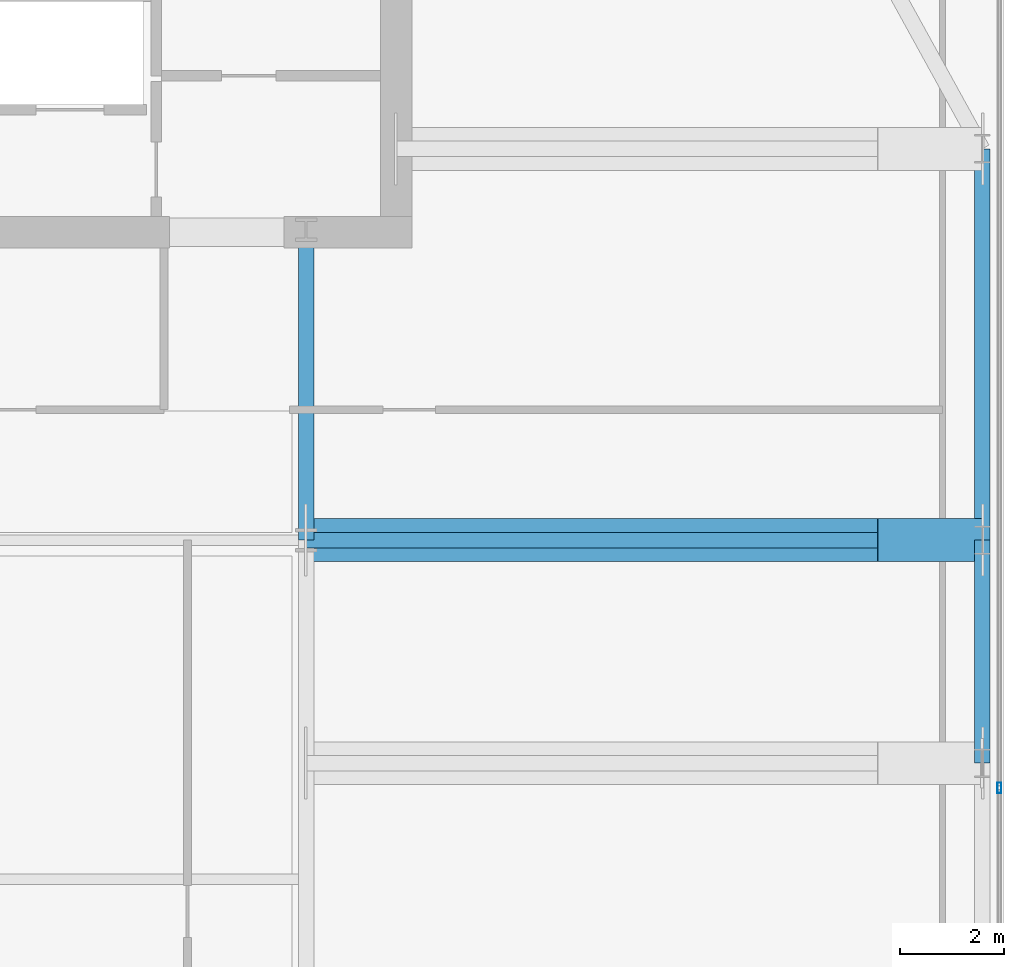
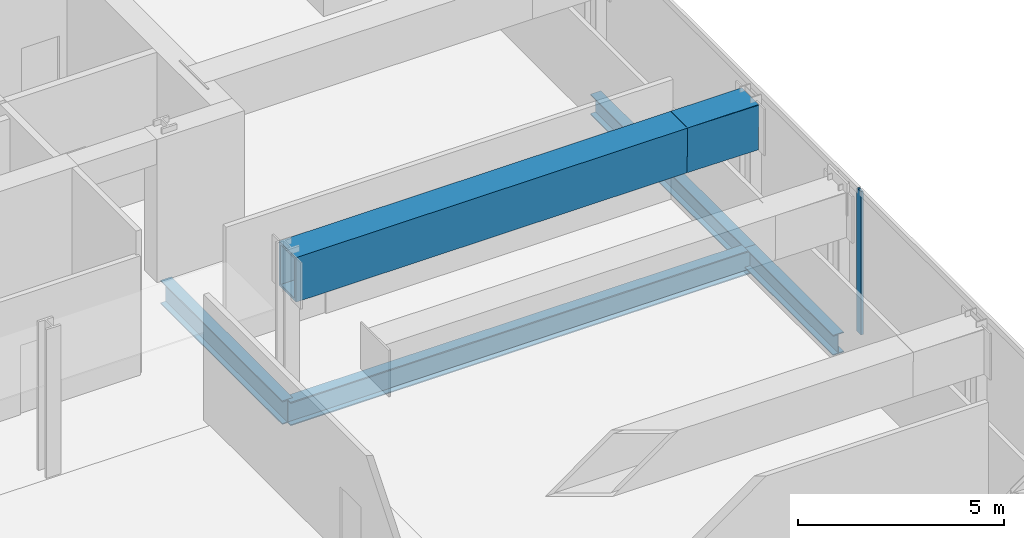
# One storey, part 15 of 25: 6 beams, 1 member, 1 element without a shape of its own.
"""IFC4 building model written with IfcOpenShell, lengths in metres."""

from ifc_helpers import new_model, si_unit, direction, frame, origin, origin_2d, place, context, subcontext, project, spatial, hollow_rectangle, i_section, extrude, material, material_profile, profile_set, type_object, element, aggregate, save


model = new_model("IFC4")

# Units and contexts
model_context = context("Model", 3, precision=1e-05, world=origin(), true_north=direction((0.0, 1.0)))
body_context = subcontext(model_context, "Body", "Model", "MODEL_VIEW")
ifc_project = project(units=[si_unit("LENGTHUNIT", "METRE"), si_unit("AREAUNIT", "SQUARE_METRE"), si_unit("VOLUMEUNIT", "CUBIC_METRE"), si_unit("PLANEANGLEUNIT", "RADIAN"), si_unit("MASSUNIT", "GRAM", prefix="KILO")], contexts=[model_context])

# Site, building, storey
site_placement = place(None, origin())
site = spatial("IfcSite", under=ifc_project, at=site_placement, CompositionType="ELEMENT")
building_placement = place(site_placement, origin())
building = spatial("IfcBuilding", under=site, at=building_placement, Name="Khoronbel Lancet Exchange", CompositionType="ELEMENT")
storey_placement = place(building_placement, frame((0.0, 0.0, 184.199951171875)))
storey = spatial("IfcBuildingStorey", under=building, at=storey_placement, Name="L46", CompositionType="ELEMENT", Elevation=184.199951171875)

# Beams
ifc_material_1 = material(Name="Steel S355", Category="steel")
ifc_material_profile_1 = material_profile(ifc_material_1, i_section(OverallWidth=0.300048828125, OverallDepth=0.699951171875, WebThickness=0.01708984375, FlangeThickness=0.031982421875, at=origin_2d()), Name="HEB 700")
ifc_profile_set_1 = profile_set([ifc_material_profile_1], Name="Steel S355")
beam_type_1 = type_object("IfcBeamType", Name="BM-BG3", PredefinedType="BEAM", material=ifc_profile_set_1)
beam_1_placement = place(storey_placement, frame((54.675048828125, 35.699951171875, -0.550048828125), z_axis=(0.0, 1.0, 0.0), x_axis=(-1.0, 0.0, 0.0)))
element("IfcBeam", 1, at=beam_1_placement, inside=storey, type_object=beam_type_1, Name="Level L46 spine tie girder GN6", PredefinedType="BEAM", context=body_context, shape_type="SweptSolid", body=[
    extrude(i_section(OverallWidth=0.300048828125, OverallDepth=0.699951171875, WebThickness=0.01708984375, FlangeThickness=0.031982421875, at=origin_2d()), origin(), (0.0, 0.0, 1.0), 5.900146484375),
])
beam_2_placement = place(storey_placement, frame((54.675048828125, 35.699951171875, -0.550048828125), z_axis=(1.0, 0.0, 0.0), x_axis=(0.0, 1.0, 0.0)))
element("IfcBeam", 2, at=beam_2_placement, inside=storey, type_object=beam_type_1, Name="Level L46 east lens tie girder LG4E", PredefinedType="BEAM", context=body_context, shape_type="SweptSolid", body=[
    extrude(i_section(OverallWidth=0.300048828125, OverallDepth=0.699951171875, WebThickness=0.01708984375, FlangeThickness=0.031982421875, at=origin_2d()), origin(), (0.0, 0.0, 1.0), 12.954833984375),
])
ifc_material_profile_2 = material_profile(ifc_material_1, i_section(OverallWidth=0.300048828125, OverallDepth=0.60009765625, WebThickness=0.015380859375, FlangeThickness=0.030029296875, at=origin_2d()), Name="HEB 600")
ifc_profile_set_2 = profile_set([ifc_material_profile_2], Name="Steel S355")
beam_type_2 = type_object("IfcBeamType", Name="BM-BSP2", PredefinedType="SPANDREL", material=ifc_profile_set_2)
beam_3_placement = place(storey_placement, frame((67.6298828125, 31.425048828125, -0.5), z_axis=(0.0, 1.0, 0.0), x_axis=(-1.0, 0.0, 0.0)))
element("IfcBeam", 3, at=beam_3_placement, inside=storey, type_object=beam_type_2, Name="Level L46 perimeter spandrel beam SP13", PredefinedType="SPANDREL", context=body_context, shape_type="SweptSolid", body=[
    extrude(i_section(OverallWidth=0.300048828125, OverallDepth=0.60009765625, WebThickness=0.015380859375, FlangeThickness=0.030029296875, at=origin_2d()), origin(), (0.0, 0.0, 1.0), 4.27490234375),
])
beam_4_placement = place(storey_placement, frame((67.6298828125, 35.699951171875, -0.5), z_axis=(0.0, 1.0, 0.0), x_axis=(-1.0, 0.0, 0.0)))
element("IfcBeam", 4, at=beam_4_placement, inside=storey, type_object=beam_type_2, Name="Level L46 perimeter spandrel beam SP14", PredefinedType="SPANDREL", context=body_context, shape_type="SweptSolid", body=[
    extrude(i_section(OverallWidth=0.300048828125, OverallDepth=0.60009765625, WebThickness=0.015380859375, FlangeThickness=0.030029296875, at=origin_2d()), origin(), (0.0, 0.0, 1.0), 7.5),
])
ifc_material_2 = material(Name="Steel S460", Category="steel")
ifc_material_profile_3 = material_profile(ifc_material_2, hollow_rectangle(XDim=0.820068359375, YDim=1.320068359375, WallThickness=0.070068359375, at=origin_2d()), Name="BOX 820x1320x70")
ifc_profile_set_3 = profile_set([ifc_material_profile_3], Name="Steel S460")
beam_type_3 = type_object("IfcBeamType", Name="BM-TG4", PredefinedType="USERDEFINED", material=ifc_profile_set_3)
beam_5_placement = place(storey_placement, frame((67.6298828125, 35.699951171875, 3.56005859375), z_axis=(-0.99994990606, 0.0, 0.010009264196), x_axis=(0.0, -1.0, 0.0)))
element("IfcBeam", 5, at=beam_5_placement, inside=storey, type_object=beam_type_3, Name="Setback transfer knee-brace girder L46-EC-3", ObjectType="TRANSFER GIRDER", PredefinedType="USERDEFINED", context=body_context, shape_type="SweptSolid", body=[
    extrude(hollow_rectangle(XDim=0.820068359375, YDim=1.320068359375, WallThickness=0.070068359375, at=origin_2d()), origin(), (0.0, 0.0, 1.0), 2.0),
])
beam_6_placement = place(storey_placement, frame((54.675048828125, 35.699951171875, 3.580078125), z_axis=(1.0, 0.0, 0.0), x_axis=(0.0, 1.0, 0.0)))
element("IfcBeam", 6, at=beam_6_placement, inside=storey, type_object=beam_type_3, Name="Lens setback S460 transfer girder L46-E4", ObjectType="TRANSFER GIRDER", PredefinedType="USERDEFINED", context=body_context, shape_type="SweptSolid", body=[
    extrude(hollow_rectangle(XDim=0.820068359375, YDim=1.320068359375, WallThickness=0.070068359375, at=origin_2d()), origin(), (0.0, 0.0, 1.0), 12.954833984375),
])

# Curtain wall, member
ifc_material_3 = material(Name="Low-E Solar Control Insulating Glass", Category="glass")
curtain_wall_type = type_object("IfcCurtainWallType", Name="CW-4", PredefinedType="NOTDEFINED", material=ifc_material_3)
curtain_wall_placement = place(storey_placement, origin())
curtain_wall = element("IfcCurtainWall", 7, at=curtain_wall_placement, inside=storey, type_object=curtain_wall_type, Name="Unitised curtain wall CW-L46-E09", PredefinedType="NOTDEFINED")
ifc_material_4 = material(Name="Bronze-Anodised Aluminium 6063-T6", Category="aluminium")
ifc_material_profile_4 = material_profile(ifc_material_4, hollow_rectangle(XDim=0.074951171875, YDim=0.199951171875, WallThickness=0.0048828125, at=origin_2d()), Name="ALU MULLION 75x200")
ifc_profile_set_4 = profile_set([ifc_material_profile_4], Name="Bronze-Anodised Aluminium 6063-T6")
member_type = type_object("IfcMemberType", Name="MEM-CWM2", PredefinedType="MULLION", material=ifc_profile_set_4)
member_placement = place(storey_placement, frame((67.9599609375, 30.949951171875, 0.0), z_axis=(0.0, 0.0, 1.0), x_axis=(1.0, 0.0, 0.0)))
member = element("IfcMember", 8, at=member_placement, type_object=member_type, Name="CW4 mullion 2", PredefinedType="MULLION", context=body_context, shape_type="SweptSolid", body=[
    extrude(hollow_rectangle(XDim=0.074951171875, YDim=0.199951171875, WallThickness=0.0048828125, at=origin_2d()), origin(), (0.0, 0.0, 1.0), 4.239990234375),
])
aggregate(curtain_wall, [member])

save(model, "model.ifc")
